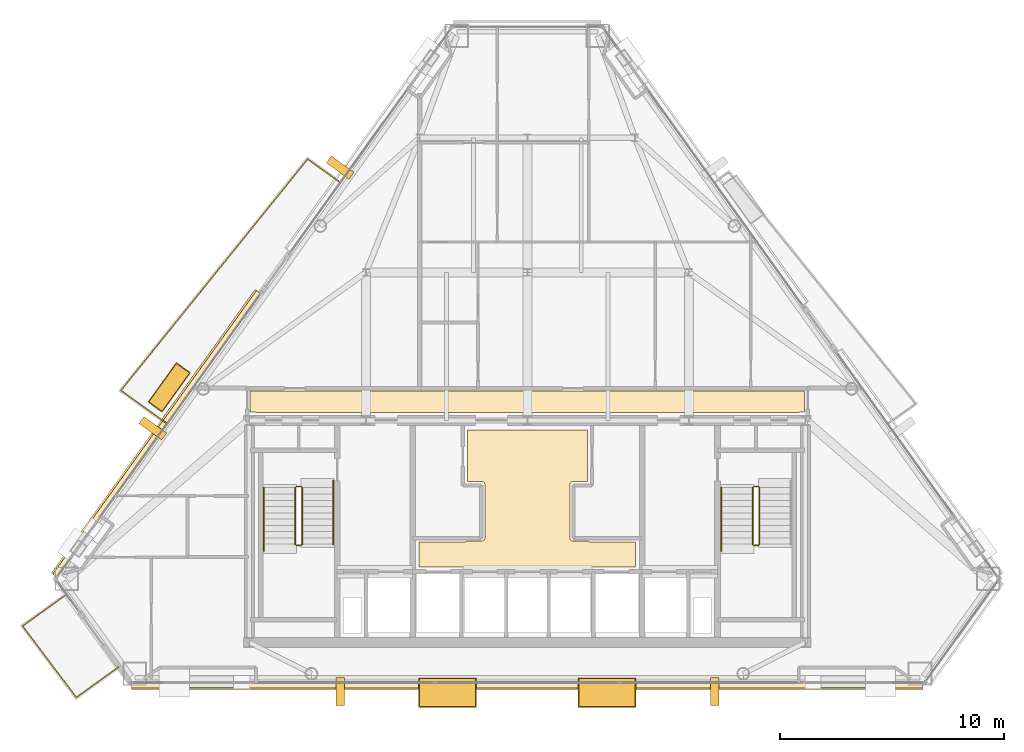
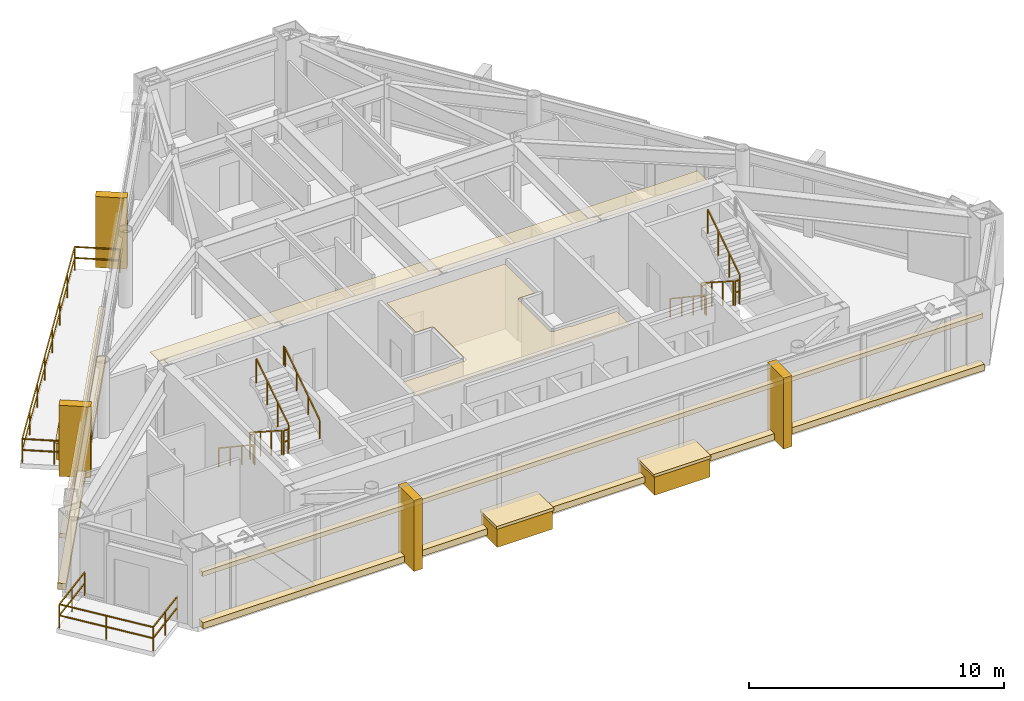
# One storey, part 10 of 11: 16 coverings, 13 railings.
"""IFC4 building model written with IfcOpenShell, lengths in metres."""

from ifc_helpers import new_model, si_unit, direction, frame, origin, origin_2d, place, context, subcontext, project, spatial, polyline, rectangle, outline, extrude, material, layer, layer_set, type_object, element, save


model = new_model("IFC4")

# Units and contexts
model_context = context("Model", 3, precision=1e-05, world=origin(), true_north=direction((0.0, 1.0)))
body_context = subcontext(model_context, "Body", "Model", "MODEL_VIEW")
ifc_project = project(units=[si_unit("LENGTHUNIT", "METRE"), si_unit("AREAUNIT", "SQUARE_METRE"), si_unit("VOLUMEUNIT", "CUBIC_METRE"), si_unit("PLANEANGLEUNIT", "RADIAN"), si_unit("MASSUNIT", "GRAM", prefix="KILO")], contexts=[model_context])

# Site, building, storey
site_placement = place(None, origin())
site = spatial("IfcSite", under=ifc_project, at=site_placement, CompositionType="ELEMENT")
building_placement = place(site_placement, origin())
building = spatial("IfcBuilding", under=site, at=building_placement, Name="Talgorran Terracotta Tower", CompositionType="ELEMENT")
storey_placement = place(building_placement, frame((0.0, 0.0, 203.699951171875)))
storey = spatial("IfcBuildingStorey", under=building, at=storey_placement, Name="L53", CompositionType="ELEMENT", Elevation=203.699951171875)

# Coverings
ifc_material_1 = material(Name="Kiln-Fired Terracotta Ochre Ceramic", Category="masonry")
ifc_layer_1 = layer(ifc_material_1, 0.179931640625, Name="COV_BAGUETTE_TERRACOTTA_SCREEN")
ifc_layer_set_1 = layer_set([ifc_layer_1], Name="Kiln-Fired Terracotta Ochre Ceramic")
covering_type_1 = type_object("IfcCoveringType", Name="COV_BAGUETTE_TERRACOTTA_SCREEN", PredefinedType="CLADDING", material=ifc_layer_set_1)
covering_1_placement = place(storey_placement, frame((0.0, -15.99658203125, 2.41015625), z_axis=(0.0, 0.0, 1.0), x_axis=(1.0, 0.0, 0.0)))
element("IfcCovering", 1, at=covering_1_placement, inside=storey, type_object=covering_type_1, Name="L53 Terracotta Baguette Solar Screen Assembly F1", PredefinedType="CLADDING", context=body_context, shape_type="SweptSolid", body=[
    extrude(rectangle(XDim=35.291748046875, YDim=0.260009765625, at=origin_2d()), origin(), (0.0, 0.0, 1.0), 0.219970703125),
])
covering_2_placement = place(storey_placement, frame((-16.517822265625, -4.8037109375, 2.41015625), z_axis=(0.0, 0.0, 1.0), x_axis=(-0.583555384799, -0.812073342053, 0.0)))
element("IfcCovering", 2, at=covering_2_placement, inside=storey, type_object=covering_type_1, Name="L53 Terracotta Baguette Solar Screen Assembly F61", PredefinedType="CLADDING", context=body_context, shape_type="SweptSolid", body=[
    extrude(rectangle(XDim=15.560302734375, YDim=0.260009765625, at=origin_2d()), origin(), (0.0, 0.0, 1.0), 0.219970703125),
])
ifc_material_2 = material(Name="Mineral Fibre Acoustic Tile")
ifc_layer_2 = layer(ifc_material_2, 0.02490234375, Name="COV_CEIL_ACOUSTIC")
ifc_layer_set_2 = layer_set([ifc_layer_2], Name="Mineral Fibre Acoustic Tile")
covering_type_2 = type_object("IfcCoveringType", Name="COV_CEIL_ACOUSTIC", PredefinedType="CEILING", material=ifc_layer_set_2)
covering_3_placement = place(storey_placement, frame((0.0, 0.0, 3.255126953125)))
element("IfcCovering", 3, at=covering_3_placement, inside=storey, type_object=covering_type_2, Name="CEIL-L53-2", PredefinedType="CEILING", context=body_context, shape_type="SweptSolid", body=[
    extrude(outline(polyline([(-12.364990234375, -2.885009765625), (12.364990234375, -2.885009765625), (12.364990234375, -3.830078125), (12.169921875, -3.830078125), (12.158203125, -3.83056640625), (12.146484375, -3.832275390625), (12.13525390625, -3.835205078125), (12.1240234375, -3.839111328125), (12.11328125, -3.84423828125), (12.112060546875, -3.844970703125), (7.432861328125, -3.844970703125), (6.968017578125, -3.843017578125), (6.967529296875, -3.843017578125), (0.232666015625, -3.844970703125), (-0.23193359375, -3.843017578125), (-0.232421875, -3.843017578125), (-6.96728515625, -3.844970703125), (-7.431884765625, -3.843017578125), (-7.4326171875, -3.843017578125), (-12.112060546875, -3.844970703125), (-12.11328125, -3.84423828125), (-12.1240234375, -3.839111328125), (-12.13525390625, -3.835205078125), (-12.146484375, -3.832275390625), (-12.158203125, -3.83056640625), (-12.169921875, -3.830078125), (-12.364990234375, -3.830078125), (-12.364990234375, -2.885009765625)])), origin(), (0.0, 0.0, 1.0), 0.02001953125),
])
ifc_material_3 = material(Name="Flush Moisture-Resistant Plaster")
ifc_layer_3 = layer(ifc_material_3, 0.01806640625, Name="COV_CEIL_PLASTER")
ifc_layer_set_3 = layer_set([ifc_layer_3], Name="Flush Moisture-Resistant Plaster")
covering_type_3 = type_object("IfcCoveringType", Name="COV_CEIL_PLASTER", PredefinedType="CEILING", material=ifc_layer_set_3)
covering_4_placement = place(storey_placement, frame((0.0, 0.0, 3.255126953125)))
element("IfcCovering", 4, at=covering_4_placement, inside=storey, type_object=covering_type_3, Name="CEIL-L53-1", PredefinedType="CEILING", context=body_context, shape_type="SweptSolid", body=[
    extrude(outline(polyline([(-2.70263671875, -9.570068359375), (-2.02001953125, -9.570068359375), (-2.00830078125, -9.5693359375), (-1.99658203125, -9.567626953125), (-1.985107421875, -9.564697265625), (-1.97412109375, -9.560791015625), (-1.96337890625, -9.555908203125), (-1.953369140625, -9.5498046875), (-1.94384765625, -9.542724609375), (-1.93505859375, -9.534912109375), (-1.92724609375, -9.526123046875), (-1.920166015625, -9.5166015625), (-1.914306640625, -9.506591796875), (-1.9091796875, -9.495849609375), (-1.9052734375, -9.48486328125), (-1.90234375, -9.473388671875), (-1.900634765625, -9.4619140625), (-1.89990234375, -9.449951171875), (-1.89990234375, -7.050048828125), (-1.900634765625, -7.0380859375), (-1.90234375, -7.026611328125), (-1.9052734375, -7.01513671875), (-1.9091796875, -7.004150390625), (-1.914306640625, -6.993408203125), (-1.920166015625, -6.9833984375), (-1.92724609375, -6.973876953125), (-1.93505859375, -6.965087890625), (-1.94384765625, -6.957275390625), (-1.953369140625, -6.9501953125), (-1.96337890625, -6.944091796875), (-1.97412109375, -6.939208984375), (-1.985107421875, -6.935302734375), (-1.99658203125, -6.932373046875), (-2.00830078125, -6.9306640625), (-2.02001953125, -6.929931640625), (-2.679931640625, -6.929931640625), (-2.679931640625, -4.6201171875), (2.679931640625, -4.6201171875), (2.679931640625, -6.929931640625), (2.02001953125, -6.929931640625), (2.00830078125, -6.9306640625), (1.99658203125, -6.932373046875), (1.985107421875, -6.935302734375), (1.97412109375, -6.939208984375), (1.96337890625, -6.944091796875), (1.953369140625, -6.9501953125), (1.94384765625, -6.957275390625), (1.93505859375, -6.965087890625), (1.92724609375, -6.973876953125), (1.920166015625, -6.9833984375), (1.914306640625, -6.993408203125), (1.9091796875, -7.004150390625), (1.9052734375, -7.01513671875), (1.90234375, -7.026611328125), (1.900634765625, -7.0380859375), (1.89990234375, -7.050048828125), (1.89990234375, -9.449951171875), (1.900634765625, -9.4619140625), (1.90234375, -9.473388671875), (1.9052734375, -9.48486328125), (1.9091796875, -9.495849609375), (1.914306640625, -9.506591796875), (1.920166015625, -9.5166015625), (1.92724609375, -9.526123046875), (1.93505859375, -9.534912109375), (1.94384765625, -9.542724609375), (1.953369140625, -9.5498046875), (1.96337890625, -9.555908203125), (1.97412109375, -9.560791015625), (1.985107421875, -9.564697265625), (1.99658203125, -9.567626953125), (2.00830078125, -9.5693359375), (2.02001953125, -9.570068359375), (2.70263671875, -9.570068359375), (2.707275390625, -9.576171875), (2.715087890625, -9.5849609375), (2.723876953125, -9.5927734375), (2.7333984375, -9.599853515625), (2.743408203125, -9.605712890625), (2.754150390625, -9.61083984375), (2.76513671875, -9.61474609375), (2.776611328125, -9.61767578125), (2.7880859375, -9.619384765625), (2.800048828125, -9.6201171875), (4.830078125, -9.6201171875), (4.830078125, -10.72998046875), (-4.830078125, -10.72998046875), (-4.830078125, -9.6201171875), (-2.800048828125, -9.6201171875), (-2.7880859375, -9.619384765625), (-2.776611328125, -9.61767578125), (-2.76513671875, -9.61474609375), (-2.754150390625, -9.61083984375), (-2.743408203125, -9.605712890625), (-2.7333984375, -9.599853515625), (-2.723876953125, -9.5927734375), (-2.715087890625, -9.5849609375), (-2.707275390625, -9.576171875), (-2.70263671875, -9.570068359375)])), origin(), (0.0, 0.0, 1.0), 0.02001953125),
])
ifc_material_4 = material(Name="Honed Limestone and Terracotta Planter", Category="masonry")
ifc_layer_4 = layer(ifc_material_4, 0.1201171875, Name="COV_PLANTER_BOX")
ifc_layer_set_4 = layer_set([ifc_layer_4], Name="Honed Limestone and Terracotta Planter")
covering_type_4 = type_object("IfcCoveringType", Name="COV_PLANTER_BOX", PredefinedType="CLADDING", material=ifc_layer_set_4)
for number, where, z_axis, x_axis, name in (
    (5, (-3.555419921875, -16.336669921875, -0.179931640625), (0.0, 0.0, 1.0), (1.0, 0.0, 0.0), "L53 Staggered South Facade Planter Box 1"),
    (6, (3.555419921875, -16.336669921875, -0.179931640625), (0.0, 0.0, 1.0), (1.0, 0.0, 0.0), "L53 Staggered South Facade Planter Box 2"),
):
    element("IfcCovering", number, at=place(storey_placement, frame(where, z_axis=z_axis, x_axis=x_axis)), inside=storey, type_object=covering_type_4, Name=name, PredefinedType="CLADDING", context=body_context, shape_type="SweptSolid", body=[
        extrude(rectangle(XDim=2.5, YDim=1.25, at=origin_2d()), origin(), (0.0, 0.0, 1.0), 0.919921875),
    ])
covering_5_placement = place(storey_placement, frame((-15.973876953125, -2.7275390625, -0.02001953125), z_axis=(0.0, 0.0, 1.0), x_axis=(-0.583555384799, -0.812073342053, 0.0)))
element("IfcCovering", 7, at=covering_5_placement, inside=storey, type_object=covering_type_4, Name="L53 Staggered Balcony Planter Box BAL-NW", PredefinedType="CLADDING", context=body_context, shape_type="SweptSolid", body=[
    extrude(rectangle(XDim=2.10009765625, YDim=0.719970703125, at=origin_2d()), origin(), (0.0, 0.0, 1.0), 0.860107421875),
])
ifc_material_5 = material(Name="Kiln-Fired Terracotta Planter Rim", Category="masonry")
ifc_layer_5 = layer(ifc_material_5, 0.10009765625, Name="COV_PLANTER_RIM")
ifc_layer_set_5 = layer_set([ifc_layer_5], Name="Kiln-Fired Terracotta Planter Rim")
covering_type_5 = type_object("IfcCoveringType", Name="COV_PLANTER_RIM", PredefinedType="CLADDING", material=ifc_layer_set_5)
for number, where, z_axis, x_axis, name in (
    (8, (-3.555419921875, -16.336669921875, 0.7099609375), (0.0, 0.0, 1.0), (1.0, 0.0, 0.0), "L53 South Planter Terracotta Rim 1"),
    (9, (3.555419921875, -16.336669921875, 0.7099609375), (0.0, 0.0, 1.0), (1.0, 0.0, 0.0), "L53 South Planter Terracotta Rim 2"),
):
    element("IfcCovering", number, at=place(storey_placement, frame(where, z_axis=z_axis, x_axis=x_axis)), inside=storey, type_object=covering_type_5, Name=name, PredefinedType="CLADDING", context=body_context, shape_type="SweptSolid", body=[
        extrude(rectangle(XDim=2.580078125, YDim=1.320068359375, at=origin_2d()), origin(), (0.0, 0.0, 1.0), 0.139892578125),
    ])
covering_6_placement = place(storey_placement, frame((-15.973876953125, -2.7275390625, 0.800048828125), z_axis=(0.0, 0.0, 1.0), x_axis=(-0.583555384799, -0.812073342053, 0.0)))
element("IfcCovering", 10, at=covering_6_placement, inside=storey, type_object=covering_type_5, Name="L53 Balcony Planter Terracotta Rim BAL-NW", PredefinedType="CLADDING", context=body_context, shape_type="SweptSolid", body=[
    extrude(rectangle(XDim=2.179931640625, YDim=0.780029296875, at=origin_2d()), origin(), (0.0, 0.0, 1.0), 0.1201171875),
])
ifc_material_6 = material(Name="Honed Limestone Cladding", Category="masonry")
ifc_layer_6 = layer(ifc_material_6, 0.094970703125, Name="COV_PORTAL_LIME")
ifc_layer_set_6 = layer_set([ifc_layer_6], Name="Honed Limestone Cladding")
covering_type_6 = type_object("IfcCoveringType", Name="COV_PORTAL_LIME", PredefinedType="CLADDING", material=ifc_layer_set_6)
for number, where, z_axis, x_axis, name in (
    (11, (-8.35546875, -16.296630859375, -0.050048828125), (0.0, 0.0, 1.0), (1.0, 0.0, 0.0), "L53 White Striped Portal Fin F1-1"),
    (12, (-8.349609375, 7.0771484375, -0.050048828125), (0.0, 0.0, 1.0), (-0.583555384799, -0.812073342053, 0.0), "L53 White Striped Portal Fin F5-1"),
):
    element("IfcCovering", number, at=place(storey_placement, frame(where, z_axis=z_axis, x_axis=x_axis)), inside=storey, type_object=covering_type_6, Name=name, PredefinedType="CLADDING", context=body_context, shape_type="SweptSolid", body=[
        extrude(rectangle(XDim=0.3798828125, YDim=1.25, at=origin_2d()), origin(), (0.0, 0.0, 1.0), 3.39501953125),
    ])
ifc_material_7 = material(Name="Kiln-Fired Terracotta Cladding", Category="masonry")
ifc_layer_7 = layer(ifc_material_7, 0.090087890625, Name="COV_PORTAL_TERRA")
ifc_layer_set_7 = layer_set([ifc_layer_7], Name="Kiln-Fired Terracotta Cladding")
covering_type_7 = type_object("IfcCoveringType", Name="COV_PORTAL_TERRA", PredefinedType="CLADDING", material=ifc_layer_set_7)
covering_7_placement = place(storey_placement, frame((0.0, -16.03662109375, -0.0400390625), z_axis=(0.0, 0.0, 1.0), x_axis=(1.0, 0.0, 0.0)))
element("IfcCovering", 13, at=covering_7_placement, inside=storey, type_object=covering_type_7, Name="L53 Striped Postmodern Portal Cladding Band F1", PredefinedType="CLADDING", context=body_context, shape_type="SweptSolid", body=[
    extrude(rectangle(XDim=35.311767578125, YDim=0.340087890625, at=origin_2d()), origin(), (0.0, 0.0, 1.0), 0.300048828125),
])
covering_8_placement = place(storey_placement, frame((-16.55029296875, -4.780517578125, -0.0400390625), z_axis=(0.0, 0.0, 1.0), x_axis=(-0.583555384799, -0.812073342053, 0.0)))
element("IfcCovering", 14, at=covering_8_placement, inside=storey, type_object=covering_type_7, Name="L53 Striped Postmodern Portal Cladding Band F61", PredefinedType="CLADDING", context=body_context, shape_type="SweptSolid", body=[
    extrude(rectangle(XDim=15.580322265625, YDim=0.340087890625, at=origin_2d()), origin(), (0.0, 0.0, 1.0), 0.300048828125),
])
for number, where, z_axis, x_axis, name in (
    (15, (8.35546875, -16.296630859375, -0.050048828125), (0.0, 0.0, 1.0), (1.0, 0.0, 0.0), "L53 Terracotta Striped Portal Fin F1-2"),
    (16, (-16.705078125, -4.55029296875, -0.050048828125), (0.0, 0.0, 1.0), (-0.583555384799, -0.812073342053, 0.0), "L53 Terracotta Striped Portal Fin F5-2"),
):
    element("IfcCovering", number, at=place(storey_placement, frame(where, z_axis=z_axis, x_axis=x_axis)), inside=storey, type_object=covering_type_7, Name=name, PredefinedType="CLADDING", context=body_context, shape_type="SweptSolid", body=[
        extrude(rectangle(XDim=0.3798828125, YDim=1.25, at=origin_2d()), origin(), (0.0, 0.0, 1.0), 3.39501953125),
    ])

# Railings
ifc_material_8 = material(Name="Laminated Glass and Stainless Steel 316", Category="steel")
railing_type_1 = type_object("IfcRailingType", Name="RL_BALCONY_1150", PredefinedType="BALUSTRADE", material=ifc_material_8)
railing_1_placement = place(storey_placement, frame((-8.3544921875, 6.419189453125, 0.0)))
element("IfcRailing", 17, at=railing_1_placement, inside=storey, type_object=railing_type_1, Name="RL-L53-BAL-BAL-NW", PredefinedType="BALUSTRADE", context=body_context, shape_type="SweptSolid", body=[
    extrude(rectangle(XDim=0.048095703125, YDim=0.048095703125, at=origin_2d()), frame((0.0, 0.0, 1.1259765625), z_axis=(-0.812025523284, 0.583621923454, 0.0), x_axis=(-0.583621923454, -0.812025523284, 0.0)), (0.0, 0.0, 1.0), 1.78076171875),
    extrude(rectangle(XDim=0.048095703125, YDim=0.048095703125, at=origin_2d()), frame((0.0, 0.0, 0.597900390625), z_axis=(-0.812025523284, 0.583621923454, 0.0), x_axis=(-0.583621923454, -0.812025523284, 0.0)), (0.0, 0.0, 1.0), 1.78076171875),
    extrude(rectangle(XDim=0.048095703125, YDim=0.048095703125, at=origin_2d()), frame((-1.446044921875, 1.039306640625, 1.1259765625), z_axis=(-0.627975465984, -0.778233136099, 0.0), x_axis=(0.778233136099, -0.627975465984, 0.0)), (0.0, 0.0, 1.0), 13.264892578125),
    extrude(rectangle(XDim=0.048095703125, YDim=0.048095703125, at=origin_2d()), frame((-1.446044921875, 1.039306640625, 0.597900390625), z_axis=(-0.627975465984, -0.778233136099, 0.0), x_axis=(0.778233136099, -0.627975465984, 0.0)), (0.0, 0.0, 1.0), 13.264892578125),
    extrude(rectangle(XDim=0.048095703125, YDim=0.048095703125, at=origin_2d()), frame((-9.776123046875, -9.283935546875, 1.1259765625), z_axis=(0.812114309716, -0.583498370138, 0.0), x_axis=(0.583498370138, 0.812114309716, 0.0)), (0.0, 0.0, 1.0), 2.521240234375),
    extrude(rectangle(XDim=0.048095703125, YDim=0.048095703125, at=origin_2d()), frame((-9.776123046875, -9.283935546875, 0.597900390625), z_axis=(0.812114309716, -0.583498370138, 0.0), x_axis=(0.583498370138, 0.812114309716, 0.0)), (0.0, 0.0, 1.0), 2.521240234375),
    extrude(rectangle(XDim=0.0419921875, YDim=0.0419921875, at=origin_2d()), origin(), (0.0, 0.0, 1.0), 1.101806640625),
    extrude(rectangle(XDim=0.0419921875, YDim=0.0419921875, at=origin_2d()), frame((-1.446044921875, 1.039306640625, 0.0)), (0.0, 0.0, 1.0), 1.101806640625),
    extrude(rectangle(XDim=0.0419921875, YDim=0.0419921875, at=origin_2d()), frame((-2.635986328125, -0.435546875, 0.0)), (0.0, 0.0, 1.0), 1.101806640625),
    extrude(rectangle(XDim=0.0419921875, YDim=0.0419921875, at=origin_2d()), frame((-3.826171875, -1.91015625, 0.0)), (0.0, 0.0, 1.0), 1.101806640625),
    extrude(rectangle(XDim=0.0419921875, YDim=0.0419921875, at=origin_2d()), frame((-5.01611328125, -3.385009765625, 0.0)), (0.0, 0.0, 1.0), 1.101806640625),
    extrude(rectangle(XDim=0.0419921875, YDim=0.0419921875, at=origin_2d()), frame((-6.2060546875, -4.859619140625, 0.0)), (0.0, 0.0, 1.0), 1.101806640625),
    extrude(rectangle(XDim=0.0419921875, YDim=0.0419921875, at=origin_2d()), frame((-7.39599609375, -6.33447265625, 0.0)), (0.0, 0.0, 1.0), 1.101806640625),
    extrude(rectangle(XDim=0.0419921875, YDim=0.0419921875, at=origin_2d()), frame((-8.586181640625, -7.80908203125, 0.0)), (0.0, 0.0, 1.0), 1.101806640625),
    extrude(rectangle(XDim=0.0419921875, YDim=0.0419921875, at=origin_2d()), frame((-9.776123046875, -9.283935546875, 0.0)), (0.0, 0.0, 1.0), 1.101806640625),
    extrude(rectangle(XDim=0.0419921875, YDim=0.0419921875, at=origin_2d()), frame((-8.75244140625, -10.01953125, 0.0)), (0.0, 0.0, 1.0), 1.101806640625),
    extrude(rectangle(XDim=0.0419921875, YDim=0.0419921875, at=origin_2d()), frame((-7.728515625, -10.755126953125, 0.0)), (0.0, 0.0, 1.0), 1.101806640625),
])
railing_2_placement = place(storey_placement, frame((-20.564697265625, -11.966552734375, 0.0)))
element("IfcRailing", 18, at=railing_2_placement, inside=storey, type_object=railing_type_1, Name="RL-L53-BAL-BAL-SW", PredefinedType="BALUSTRADE", context=body_context, shape_type="SweptSolid", body=[
    extrude(rectangle(XDim=0.048095703125, YDim=0.048095703125, at=origin_2d()), frame((0.0, 0.0, 1.1259765625), z_axis=(-0.812090552762, -0.583531433699, 0.0), x_axis=(0.583531433699, -0.812090552762, 0.0)), (0.0, 0.0, 1.0), 2.404541015625),
    extrude(rectangle(XDim=0.048095703125, YDim=0.048095703125, at=origin_2d()), frame((0.0, 0.0, 0.597900390625), z_axis=(-0.812090552762, -0.583531433699, 0.0), x_axis=(0.583531433699, -0.812090552762, 0.0)), (0.0, 0.0, 1.0), 2.404541015625),
    extrude(rectangle(XDim=0.048095703125, YDim=0.048095703125, at=origin_2d()), frame((-1.95263671875, -1.403076171875, 1.1259765625), z_axis=(0.601429587014, -0.798925811239, 0.0), x_axis=(0.798925811239, 0.601429587014, 0.0)), (0.0, 0.0, 1.0), 3.986572265625),
    extrude(rectangle(XDim=0.048095703125, YDim=0.048095703125, at=origin_2d()), frame((-1.95263671875, -1.403076171875, 0.597900390625), z_axis=(0.601429587014, -0.798925811239, 0.0), x_axis=(0.798925811239, 0.601429587014, 0.0)), (0.0, 0.0, 1.0), 3.986572265625),
    extrude(rectangle(XDim=0.048095703125, YDim=0.048095703125, at=origin_2d()), frame((0.445068359375, -4.588134765625, 1.1259765625), z_axis=(0.812041911904, 0.583599120382, 0.0), x_axis=(-0.583599120382, 0.812041911904, 0.0)), (0.0, 0.0, 1.0), 2.31591796875),
    extrude(rectangle(XDim=0.048095703125, YDim=0.048095703125, at=origin_2d()), frame((0.445068359375, -4.588134765625, 0.597900390625), z_axis=(0.812041911904, 0.583599120382, 0.0), x_axis=(-0.583599120382, 0.812041911904, 0.0)), (0.0, 0.0, 1.0), 2.31591796875),
    extrude(rectangle(XDim=0.0419921875, YDim=0.0419921875, at=origin_2d()), origin(), (0.0, 0.0, 1.0), 1.101806640625),
    extrude(rectangle(XDim=0.0419921875, YDim=0.0419921875, at=origin_2d()), frame((-0.976318359375, -0.70166015625, 0.0)), (0.0, 0.0, 1.0), 1.101806640625),
    extrude(rectangle(XDim=0.0419921875, YDim=0.0419921875, at=origin_2d()), frame((-1.95263671875, -1.403076171875, 0.0)), (0.0, 0.0, 1.0), 1.101806640625),
    extrude(rectangle(XDim=0.0419921875, YDim=0.0419921875, at=origin_2d()), frame((-0.75390625, -2.99560546875, 0.0)), (0.0, 0.0, 1.0), 1.101806640625),
    extrude(rectangle(XDim=0.0419921875, YDim=0.0419921875, at=origin_2d()), frame((0.445068359375, -4.588134765625, 0.0)), (0.0, 0.0, 1.0), 1.101806640625),
    extrude(rectangle(XDim=0.0419921875, YDim=0.0419921875, at=origin_2d()), frame((1.38525390625, -3.912353515625, 0.0)), (0.0, 0.0, 1.0), 1.101806640625),
    extrude(rectangle(XDim=0.0419921875, YDim=0.0419921875, at=origin_2d()), frame((2.32568359375, -3.236572265625, 0.0)), (0.0, 0.0, 1.0), 1.101806640625),
])
ifc_material_9 = material(Name="Steel S355 (300PLUS)", Category="steel")
railing_type_2 = type_object("IfcRailingType", Name="RL_HANDRAIL_920", PredefinedType="HANDRAIL", material=ifc_material_9)
railing_3_placement = place(storey_placement, frame((-11.75, -7.199951171875, 0.179931640625)))
element("IfcRailing", 19, at=railing_3_placement, inside=storey, type_object=railing_type_2, Name="L53 ST-01 stair handrail 1", PredefinedType="HANDRAIL", context=body_context, shape_type="SweptSolid", body=[
    extrude(rectangle(XDim=0.048095703125, YDim=0.048095703125, at=origin_2d()), frame((0.0, 0.0, 0.89599609375), z_axis=(0.0, -0.832038719335, 0.554717558338), x_axis=(1.0, 0.0, 0.0)), (0.0, 0.0, 1.0), 3.244873046875),
    extrude(rectangle(XDim=0.048095703125, YDim=0.048095703125, at=origin_2d()), frame((0.0, -2.699951171875, 2.69580078125), z_axis=(0.0, -1.0, 0.0), x_axis=(1.0, 0.0, 0.0)), (0.0, 0.0, 1.0), 0.1201171875),
    extrude(rectangle(XDim=0.0419921875, YDim=0.0419921875, at=origin_2d()), origin(), (0.0, 0.0, 1.0), 0.871826171875),
    extrude(rectangle(XDim=0.0419921875, YDim=0.0419921875, at=origin_2d()), frame((0.0, -0.89990234375, 0.60009765625)), (0.0, 0.0, 1.0), 0.871826171875),
    extrude(rectangle(XDim=0.0419921875, YDim=0.0419921875, at=origin_2d()), frame((0.0, -1.800048828125, 1.199951171875)), (0.0, 0.0, 1.0), 0.871826171875),
    extrude(rectangle(XDim=0.0419921875, YDim=0.0419921875, at=origin_2d()), frame((0.0, -2.699951171875, 1.800048828125)), (0.0, 0.0, 1.0), 0.871826171875),
    extrude(rectangle(XDim=0.0419921875, YDim=0.0419921875, at=origin_2d()), frame((0.0, -2.820068359375, 1.800048828125)), (0.0, 0.0, 1.0), 0.871826171875),
])
railing_4_placement = place(storey_placement, frame((-8.64990234375, -9.719970703125, 1.97998046875)))
element("IfcRailing", 20, at=railing_4_placement, inside=storey, type_object=railing_type_2, Name="L53 ST-01 stair handrail 2", PredefinedType="HANDRAIL", context=body_context, shape_type="SweptSolid", body=[
    extrude(rectangle(XDim=0.048095703125, YDim=0.048095703125, at=origin_2d()), frame((0.0, 0.0, 0.89599609375), z_axis=(0.0, 0.832038719335, 0.554717558338), x_axis=(-1.0, 0.0, 0.0)), (0.0, 0.0, 1.0), 3.244873046875),
    extrude(rectangle(XDim=0.048095703125, YDim=0.048095703125, at=origin_2d()), frame((0.0, 2.699951171875, 2.69580078125), z_axis=(0.0, 1.0, 0.0), x_axis=(-1.0, 0.0, 0.0)), (0.0, 0.0, 1.0), 0.1201171875),
    extrude(rectangle(XDim=0.0419921875, YDim=0.0419921875, at=origin_2d()), origin(), (0.0, 0.0, 1.0), 0.871826171875),
    extrude(rectangle(XDim=0.0419921875, YDim=0.0419921875, at=origin_2d()), frame((0.0, 0.89990234375, 0.60009765625)), (0.0, 0.0, 1.0), 0.871826171875),
    extrude(rectangle(XDim=0.0419921875, YDim=0.0419921875, at=origin_2d()), frame((0.0, 1.800048828125, 1.199951171875)), (0.0, 0.0, 1.0), 0.871826171875),
    extrude(rectangle(XDim=0.0419921875, YDim=0.0419921875, at=origin_2d()), frame((0.0, 2.699951171875, 1.800048828125)), (0.0, 0.0, 1.0), 0.871826171875),
    extrude(rectangle(XDim=0.0419921875, YDim=0.0419921875, at=origin_2d()), frame((0.0, 2.820068359375, 1.800048828125)), (0.0, 0.0, 1.0), 0.871826171875),
])
railing_5_placement = place(storey_placement, frame((8.64990234375, -7.199951171875, 0.179931640625)))
element("IfcRailing", 21, at=railing_5_placement, inside=storey, type_object=railing_type_2, Name="L53 ST-02 stair handrail 1", PredefinedType="HANDRAIL", context=body_context, shape_type="SweptSolid", body=[
    extrude(rectangle(XDim=0.048095703125, YDim=0.048095703125, at=origin_2d()), frame((0.0, 0.0, 0.89599609375), z_axis=(0.0, -0.832038719335, 0.554717558338), x_axis=(1.0, 0.0, 0.0)), (0.0, 0.0, 1.0), 3.244873046875),
    extrude(rectangle(XDim=0.048095703125, YDim=0.048095703125, at=origin_2d()), frame((0.0, -2.699951171875, 2.69580078125), z_axis=(0.0, -1.0, 0.0), x_axis=(1.0, 0.0, 0.0)), (0.0, 0.0, 1.0), 0.1201171875),
    extrude(rectangle(XDim=0.0419921875, YDim=0.0419921875, at=origin_2d()), origin(), (0.0, 0.0, 1.0), 0.871826171875),
    extrude(rectangle(XDim=0.0419921875, YDim=0.0419921875, at=origin_2d()), frame((0.0, -0.89990234375, 0.60009765625)), (0.0, 0.0, 1.0), 0.871826171875),
    extrude(rectangle(XDim=0.0419921875, YDim=0.0419921875, at=origin_2d()), frame((0.0, -1.800048828125, 1.199951171875)), (0.0, 0.0, 1.0), 0.871826171875),
    extrude(rectangle(XDim=0.0419921875, YDim=0.0419921875, at=origin_2d()), frame((0.0, -2.699951171875, 1.800048828125)), (0.0, 0.0, 1.0), 0.871826171875),
    extrude(rectangle(XDim=0.0419921875, YDim=0.0419921875, at=origin_2d()), frame((0.0, -2.820068359375, 1.800048828125)), (0.0, 0.0, 1.0), 0.871826171875),
])
railing_type_3 = type_object("IfcRailingType", Name="RL_STAIR_GUARD", PredefinedType="GUARDRAIL", material=ifc_material_9)
railing_6_placement = place(storey_placement, frame((-10.35009765625, -7.199951171875, 0.179931640625)))
element("IfcRailing", 22, at=railing_6_placement, inside=storey, type_object=railing_type_3, Name="L53 ST-01 stair guard 1", PredefinedType="GUARDRAIL", context=body_context, shape_type="SweptSolid", body=[
    extrude(rectangle(XDim=0.048095703125, YDim=0.048095703125, at=origin_2d()), frame((0.0, 0.0, 1.15576171875), z_axis=(0.0, -0.841162588446, 0.540782303519), x_axis=(1.0, 0.0, 0.0)), (0.0, 0.0, 1.0), 2.995849609375),
    extrude(rectangle(XDim=0.0419921875, YDim=0.0419921875, at=origin_2d()), origin(), (0.0, 0.0, 1.0), 1.1318359375),
    extrude(rectangle(XDim=0.0419921875, YDim=0.0419921875, at=origin_2d()), frame((0.0, -0.840087890625, 0.5400390625)), (0.0, 0.0, 1.0), 1.1318359375),
    extrude(rectangle(XDim=0.0419921875, YDim=0.0419921875, at=origin_2d()), frame((0.0, -1.679931640625, 1.080078125)), (0.0, 0.0, 1.0), 1.1318359375),
    extrude(rectangle(XDim=0.0419921875, YDim=0.0419921875, at=origin_2d()), frame((0.0, -2.52001953125, 1.6201171875)), (0.0, 0.0, 1.0), 1.1318359375),
])
railing_7_placement = place(storey_placement, frame((-10.300048828125, -9.77001953125, 1.800048828125)))
element("IfcRailing", 23, at=railing_7_placement, inside=storey, type_object=railing_type_3, Name="L53 ST-01 stair guard 2", PredefinedType="GUARDRAIL", context=body_context, shape_type="SweptSolid", body=[
    extrude(rectangle(XDim=0.048095703125, YDim=0.048095703125, at=origin_2d()), frame((0.0, 0.0, 1.15576171875), z_axis=(1.0, 0.0, 0.0), x_axis=(0.0, 1.0, 0.0)), (0.0, 0.0, 1.0), 0.199951171875),
    extrude(rectangle(XDim=0.048095703125, YDim=0.048095703125, at=origin_2d()), frame((0.0, 0.0, 0.613525390625), z_axis=(1.0, 0.0, 0.0), x_axis=(0.0, 1.0, 0.0)), (0.0, 0.0, 1.0), 0.199951171875),
    extrude(rectangle(XDim=0.0419921875, YDim=0.0419921875, at=origin_2d()), origin(), (0.0, 0.0, 1.0), 1.1318359375),
    extrude(rectangle(XDim=0.0419921875, YDim=0.0419921875, at=origin_2d()), frame((0.199951171875, 0.0, 0.0)), (0.0, 0.0, 1.0), 1.1318359375),
])
railing_8_placement = place(storey_placement, frame((-10.050048828125, -9.719970703125, 1.97998046875)))
element("IfcRailing", 24, at=railing_8_placement, inside=storey, type_object=railing_type_3, Name="L53 ST-01 stair guard 3", PredefinedType="GUARDRAIL", context=body_context, shape_type="SweptSolid", body=[
    extrude(rectangle(XDim=0.048095703125, YDim=0.048095703125, at=origin_2d()), frame((0.0, 0.0, 1.15576171875), z_axis=(0.0, 0.841162588446, 0.540782303519), x_axis=(-1.0, 0.0, 0.0)), (0.0, 0.0, 1.0), 2.995849609375),
    extrude(rectangle(XDim=0.0419921875, YDim=0.0419921875, at=origin_2d()), origin(), (0.0, 0.0, 1.0), 1.1318359375),
    extrude(rectangle(XDim=0.0419921875, YDim=0.0419921875, at=origin_2d()), frame((0.0, 0.840087890625, 0.5400390625)), (0.0, 0.0, 1.0), 1.1318359375),
    extrude(rectangle(XDim=0.0419921875, YDim=0.0419921875, at=origin_2d()), frame((0.0, 1.679931640625, 1.080078125)), (0.0, 0.0, 1.0), 1.1318359375),
    extrude(rectangle(XDim=0.0419921875, YDim=0.0419921875, at=origin_2d()), frame((0.0, 2.52001953125, 1.6201171875)), (0.0, 0.0, 1.0), 1.1318359375),
])
railing_9_placement = place(storey_placement, frame((-10.300048828125, -7.14990234375, 0.0)))
element("IfcRailing", 25, at=railing_9_placement, inside=storey, type_object=railing_type_3, Name="L53 ST-01 stair guard 4", PredefinedType="GUARDRAIL", context=body_context, shape_type="SweptSolid", body=[
    extrude(rectangle(XDim=0.048095703125, YDim=0.048095703125, at=origin_2d()), frame((0.0, 0.0, 1.15576171875), z_axis=(1.0, 0.0, 0.0), x_axis=(0.0, 1.0, 0.0)), (0.0, 0.0, 1.0), 0.199951171875),
    extrude(rectangle(XDim=0.048095703125, YDim=0.048095703125, at=origin_2d()), frame((0.0, 0.0, 0.613525390625), z_axis=(1.0, 0.0, 0.0), x_axis=(0.0, 1.0, 0.0)), (0.0, 0.0, 1.0), 0.199951171875),
    extrude(rectangle(XDim=0.0419921875, YDim=0.0419921875, at=origin_2d()), origin(), (0.0, 0.0, 1.0), 1.1318359375),
    extrude(rectangle(XDim=0.0419921875, YDim=0.0419921875, at=origin_2d()), frame((0.199951171875, 0.0, 0.0)), (0.0, 0.0, 1.0), 1.1318359375),
])
railing_10_placement = place(storey_placement, frame((10.050048828125, -7.199951171875, 0.179931640625)))
element("IfcRailing", 26, at=railing_10_placement, inside=storey, type_object=railing_type_3, Name="L53 ST-02 stair guard 1", PredefinedType="GUARDRAIL", context=body_context, shape_type="SweptSolid", body=[
    extrude(rectangle(XDim=0.048095703125, YDim=0.048095703125, at=origin_2d()), frame((0.0, 0.0, 1.15576171875), z_axis=(0.0, -0.841162588446, 0.540782303519), x_axis=(1.0, 0.0, 0.0)), (0.0, 0.0, 1.0), 2.995849609375),
    extrude(rectangle(XDim=0.0419921875, YDim=0.0419921875, at=origin_2d()), origin(), (0.0, 0.0, 1.0), 1.1318359375),
    extrude(rectangle(XDim=0.0419921875, YDim=0.0419921875, at=origin_2d()), frame((0.0, -0.840087890625, 0.5400390625)), (0.0, 0.0, 1.0), 1.1318359375),
    extrude(rectangle(XDim=0.0419921875, YDim=0.0419921875, at=origin_2d()), frame((0.0, -1.679931640625, 1.080078125)), (0.0, 0.0, 1.0), 1.1318359375),
    extrude(rectangle(XDim=0.0419921875, YDim=0.0419921875, at=origin_2d()), frame((0.0, -2.52001953125, 1.6201171875)), (0.0, 0.0, 1.0), 1.1318359375),
])
railing_11_placement = place(storey_placement, frame((10.10009765625, -9.77001953125, 1.800048828125)))
element("IfcRailing", 27, at=railing_11_placement, inside=storey, type_object=railing_type_3, Name="L53 ST-02 stair guard 2", PredefinedType="GUARDRAIL", context=body_context, shape_type="SweptSolid", body=[
    extrude(rectangle(XDim=0.048095703125, YDim=0.048095703125, at=origin_2d()), frame((0.0, 0.0, 1.15576171875), z_axis=(1.0, 0.0, 0.0), x_axis=(0.0, 1.0, 0.0)), (0.0, 0.0, 1.0), 0.199951171875),
    extrude(rectangle(XDim=0.048095703125, YDim=0.048095703125, at=origin_2d()), frame((0.0, 0.0, 0.613525390625), z_axis=(1.0, 0.0, 0.0), x_axis=(0.0, 1.0, 0.0)), (0.0, 0.0, 1.0), 0.199951171875),
    extrude(rectangle(XDim=0.0419921875, YDim=0.0419921875, at=origin_2d()), origin(), (0.0, 0.0, 1.0), 1.1318359375),
    extrude(rectangle(XDim=0.0419921875, YDim=0.0419921875, at=origin_2d()), frame((0.199951171875, 0.0, 0.0)), (0.0, 0.0, 1.0), 1.1318359375),
])
railing_12_placement = place(storey_placement, frame((10.35009765625, -9.719970703125, 1.97998046875)))
element("IfcRailing", 28, at=railing_12_placement, inside=storey, type_object=railing_type_3, Name="L53 ST-02 stair guard 3", PredefinedType="GUARDRAIL", context=body_context, shape_type="SweptSolid", body=[
    extrude(rectangle(XDim=0.048095703125, YDim=0.048095703125, at=origin_2d()), frame((0.0, 0.0, 1.15576171875), z_axis=(0.0, 0.841162588446, 0.540782303519), x_axis=(-1.0, 0.0, 0.0)), (0.0, 0.0, 1.0), 2.995849609375),
    extrude(rectangle(XDim=0.0419921875, YDim=0.0419921875, at=origin_2d()), origin(), (0.0, 0.0, 1.0), 1.1318359375),
    extrude(rectangle(XDim=0.0419921875, YDim=0.0419921875, at=origin_2d()), frame((0.0, 0.840087890625, 0.5400390625)), (0.0, 0.0, 1.0), 1.1318359375),
    extrude(rectangle(XDim=0.0419921875, YDim=0.0419921875, at=origin_2d()), frame((0.0, 1.679931640625, 1.080078125)), (0.0, 0.0, 1.0), 1.1318359375),
    extrude(rectangle(XDim=0.0419921875, YDim=0.0419921875, at=origin_2d()), frame((0.0, 2.52001953125, 1.6201171875)), (0.0, 0.0, 1.0), 1.1318359375),
])
railing_13_placement = place(storey_placement, frame((10.10009765625, -7.14990234375, 0.0)))
element("IfcRailing", 29, at=railing_13_placement, inside=storey, type_object=railing_type_3, Name="L53 ST-02 stair guard 4", PredefinedType="GUARDRAIL", context=body_context, shape_type="SweptSolid", body=[
    extrude(rectangle(XDim=0.048095703125, YDim=0.048095703125, at=origin_2d()), frame((0.0, 0.0, 1.15576171875), z_axis=(1.0, 0.0, 0.0), x_axis=(0.0, 1.0, 0.0)), (0.0, 0.0, 1.0), 0.199951171875),
    extrude(rectangle(XDim=0.048095703125, YDim=0.048095703125, at=origin_2d()), frame((0.0, 0.0, 0.613525390625), z_axis=(1.0, 0.0, 0.0), x_axis=(0.0, 1.0, 0.0)), (0.0, 0.0, 1.0), 0.199951171875),
    extrude(rectangle(XDim=0.0419921875, YDim=0.0419921875, at=origin_2d()), origin(), (0.0, 0.0, 1.0), 1.1318359375),
    extrude(rectangle(XDim=0.0419921875, YDim=0.0419921875, at=origin_2d()), frame((0.199951171875, 0.0, 0.0)), (0.0, 0.0, 1.0), 1.1318359375),
])

save(model, "model.ifc")
